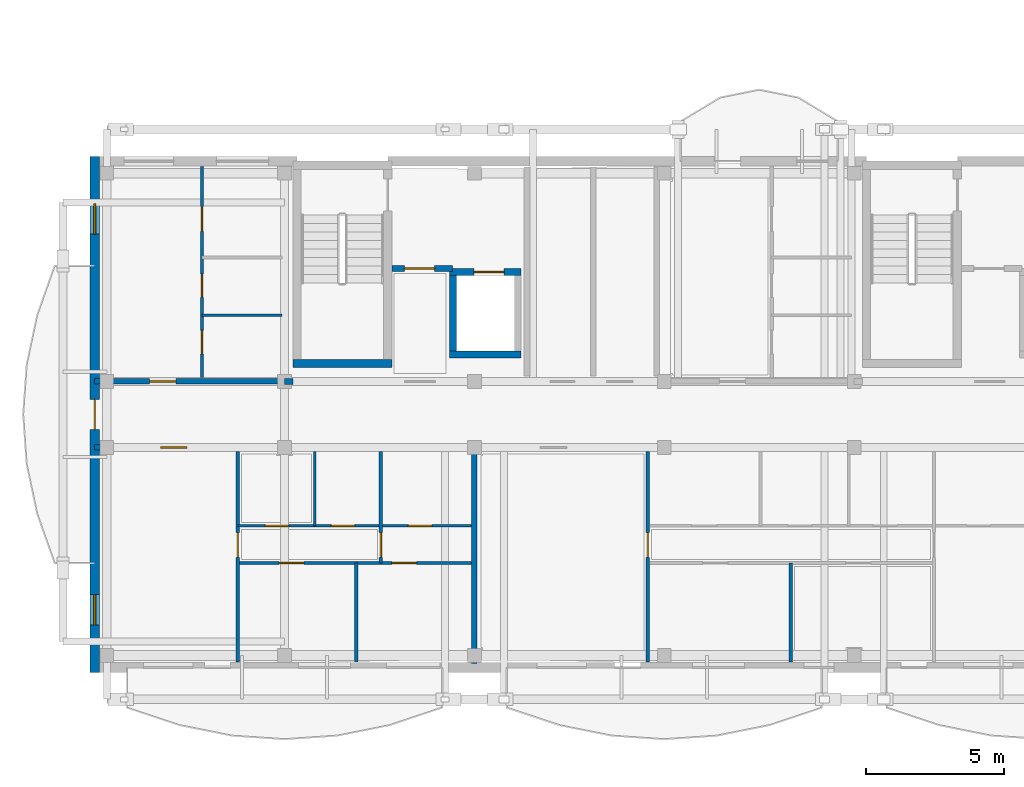
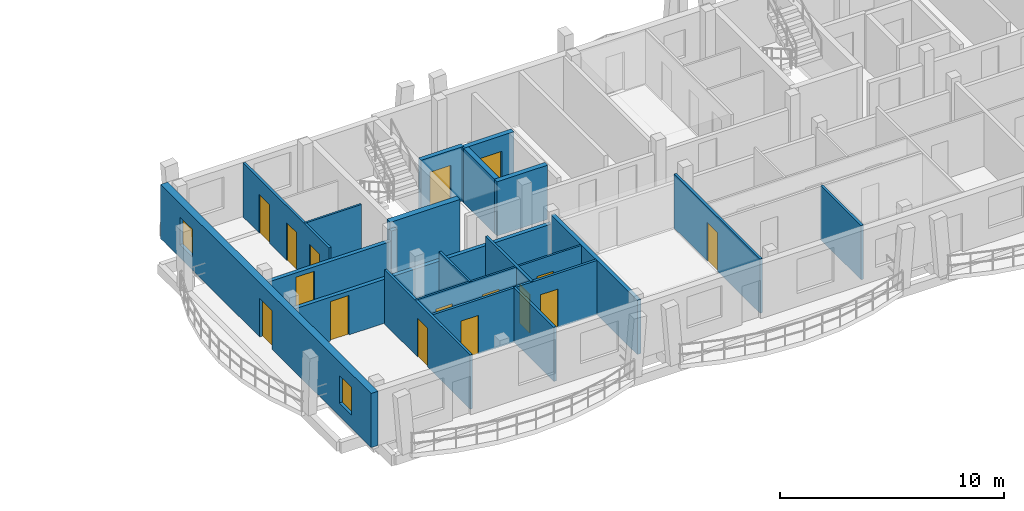
# One storey, part 15 of 48: 20 walls, 16 doors, 2 windows, 18 openings.
"""IFC4 building model written with IfcOpenShell, lengths in metres."""

from ifc_helpers import new_model, si_unit, direction, frame, frame_2d, origin, origin_with_axes, place, context, subcontext, project, spatial, rectangle, extrude, material, layer, layer_set, type_object, element, fill, save


model = new_model("IFC4")

# Units and contexts
model_context = context("Model", 3, precision=1e-05, world=origin(), true_north=direction((0.0, 1.0)))
body_context = subcontext(model_context, "Body", "Model", "MODEL_VIEW")
ifc_project = project(units=[si_unit("LENGTHUNIT", "METRE"), si_unit("AREAUNIT", "SQUARE_METRE"), si_unit("VOLUMEUNIT", "CUBIC_METRE"), si_unit("PLANEANGLEUNIT", "RADIAN"), si_unit("MASSUNIT", "GRAM", prefix="KILO")], contexts=[model_context])

# Site, building, storey
site_placement = place(None, origin())
site = spatial("IfcSite", under=ifc_project, at=site_placement, CompositionType="ELEMENT")
building_placement = place(site_placement, origin())
building = spatial("IfcBuilding", under=site, at=building_placement, Name="Zavelmont Quarter", CompositionType="ELEMENT")
storey_placement = place(building_placement, frame((0.0, 0.0, 17.60009765625)))
storey = spatial("IfcBuildingStorey", under=building, at=storey_placement, Name="L05", CompositionType="ELEMENT", Elevation=17.60009765625)

# Wall, openings, door, windows
ifc_material_1 = material(Name="Natural Belgian limestone", Category="masonry")
ifc_layer_1 = layer(ifc_material_1, 0.360107421875)
ifc_layer_set_1 = layer_set([ifc_layer_1], Name="Natural Belgian limestone")
wall_type_1 = type_object("IfcWallType", Name="EW02", PredefinedType="STANDARD", material=ifc_layer_set_1)
wall_1_placement = place(storey_placement, frame((0.0, -0.179931640625, 0.0), z_axis=(0.0, 0.0, 1.0), x_axis=(0.0, 1.0, 0.0)))
wall_1 = element("IfcWall", 1, at=wall_1_placement, inside=storey, type_object=wall_type_1, Name="L05 exterior limestone wall EW02", PredefinedType="STANDARD", context=body_context, shape_type="SweptSolid", body=[
    extrude(rectangle(XDim=18.760009765625, YDim=0.360107421875, at=frame_2d((9.3798828125, 0.0))), origin(), (0.0, 0.0, 1.0), 2.949951171875),
])
opening_1_placement = place(wall_1_placement, frame((8.830078125, 0.0, 0.0)))
opening_1 = element("IfcOpeningElement", 2, at=opening_1_placement, cuts=wall_1, Name="Opening DR04B", PredefinedType="OPENING", context=body_context, shape_type="SweptSolid", body=[
    extrude(rectangle(XDim=1.10009765625, YDim=2.10009765625, at=frame_2d((0.550048828125, 1.050048828125))), frame((0.0, 0.19189453125, 0.0), z_axis=(0.0, -1.0, 0.0), x_axis=(1.0, 0.0, 0.0)), (0.0, 0.0, 1.0), 0.384033203125),
])
opening_2_placement = place(wall_1_placement, frame((1.72998046875, 0.0, 0.719970703125)))
opening_2 = element("IfcOpeningElement", 3, at=opening_2_placement, cuts=wall_1, Name="Opening WN09", PredefinedType="OPENING", context=body_context, shape_type="SweptSolid", body=[
    extrude(rectangle(XDim=1.10009765625, YDim=1.5, at=frame_2d((0.550048828125, 0.75))), frame((0.0, 0.19189453125, 0.0), z_axis=(0.0, -1.0, 0.0), x_axis=(1.0, 0.0, 0.0)), (0.0, 0.0, 1.0), 0.384033203125),
])
opening_3_placement = place(wall_1_placement, frame((15.929931640625, 0.0, 0.719970703125)))
opening_3 = element("IfcOpeningElement", 4, at=opening_3_placement, cuts=wall_1, Name="Opening WN09", PredefinedType="OPENING", context=body_context, shape_type="SweptSolid", body=[
    extrude(rectangle(XDim=1.10009765625, YDim=1.5, at=frame_2d((0.550048828125, 0.75))), frame((0.0, 0.19189453125, 0.0), z_axis=(0.0, -1.0, 0.0), x_axis=(1.0, 0.0, 0.0)), (0.0, 0.0, 1.0), 0.384033203125),
])
ifc_material_2 = material(Name="Thermally broken aluminium and double safety glass", Category="aluminium")
door_type_1 = type_object("IfcDoorType", Name="DR04B", OperationType="NOTDEFINED", PredefinedType="DOOR", material=ifc_material_2)
door_1_placement = place(opening_1_placement, frame((1.10009765625, 0.0, 0.0), z_axis=(0.0, 0.0, 1.0), x_axis=(-1.0, 0.0, 0.0)))
door_1 = element("IfcDoor", 5, at=door_1_placement, inside=storey, type_object=door_type_1, Name="Block A L05 terrace or vase balcony door", OperationType="SINGLE_SWING_LEFT", OverallHeight=2.10009765625, OverallWidth=1.10009765625, PredefinedType="DOOR", context=body_context, shape_type="SweptSolid", body=[
    extrude(rectangle(XDim=1.10009765625, YDim=2.10009765625, at=frame_2d((0.550048828125, 1.050048828125))), frame((0.0, 0.02490234375, 0.0), z_axis=(0.0, -1.0, 0.0), x_axis=(1.0, 0.0, 0.0)), (0.0, 0.0, 1.0), 0.050048828125),
])
fill(opening_1, door_1)
ifc_material_3 = material(Name="Double low-E insulated glazing in thermally broken aluminium frame", Category="aluminium")
window_type = type_object("IfcWindowType", Name="WN09", PartitioningType="SINGLE_PANEL", PredefinedType="WINDOW", material=ifc_material_3)
window_1_placement = place(opening_2_placement, origin_with_axes())
window_1 = element("IfcWindow", 6, at=window_1_placement, inside=storey, type_object=window_type, Name="L05 window WN09", OverallHeight=1.5, OverallWidth=1.10009765625, PartitioningType="SINGLE_PANEL", PredefinedType="WINDOW", context=body_context, shape_type="SweptSolid", body=[
    extrude(rectangle(XDim=1.10009765625, YDim=1.5, at=frame_2d((0.550048828125, 0.75))), frame((0.0, 0.030029296875, 0.0), z_axis=(0.0, -1.0, 0.0), x_axis=(1.0, 0.0, 0.0)), (0.0, 0.0, 1.0), 0.06005859375),
])
fill(opening_2, window_1)
window_2_placement = place(opening_3_placement, origin_with_axes())
window_2 = element("IfcWindow", 7, at=window_2_placement, inside=storey, type_object=window_type, Name="L05 window WN09", OverallHeight=1.5, OverallWidth=1.10009765625, PartitioningType="SINGLE_PANEL", PredefinedType="WINDOW", context=body_context, shape_type="SweptSolid", body=[
    extrude(rectangle(XDim=1.10009765625, YDim=1.5, at=frame_2d((0.550048828125, 0.75))), frame((0.0, 0.030029296875, 0.0), z_axis=(0.0, -1.0, 0.0), x_axis=(1.0, 0.0, 0.0)), (0.0, 0.0, 1.0), 0.06005859375),
])
fill(opening_3, window_2)

# Wall
ifc_material_4 = material(Name="Calcium-silicate blockwork and acoustic plaster", Category="masonry")
ifc_layer_2 = layer(ifc_material_4, 0.199951171875)
ifc_layer_set_2 = layer_set([ifc_layer_2], Name="Calcium-silicate blockwork and acoustic plaster")
wall_type_2 = type_object("IfcWallType", Name="IW01", PredefinedType="PARTITIONING", material=ifc_layer_set_2)
wall_2_placement = place(storey_placement, frame((13.800048828125, 7.85009765625, 0.0), z_axis=(0.0, 0.0, 1.0), x_axis=(0.0, -1.0, 0.0)))
element("IfcWall", 8, at=wall_2_placement, inside=storey, type_object=wall_type_2, Name="L05 Inter-dwelling compartment wall IW01", PredefinedType="PARTITIONING", context=body_context, shape_type="SweptSolid", body=[
    extrude(rectangle(XDim=7.7001953125, YDim=0.199951171875, at=frame_2d((3.85009765625, 0.0))), origin(), (0.0, 0.0, 1.0), 2.949951171875),
])

# Wall, opening, door
wall_3_placement = place(storey_placement, frame((0.0, 8.0, 0.0), z_axis=(0.0, 0.0, 1.0), x_axis=(1.0, 0.0, 0.0)))
wall_3 = element("IfcWall", 9, at=wall_3_placement, inside=storey, type_object=wall_type_2, Name="L05 Corridor compartment wall IW01", PredefinedType="PARTITIONING", context=body_context, shape_type="SweptSolid", body=[
    extrude(rectangle(XDim=13.800048828125, YDim=0.199951171875, at=frame_2d((6.89990234375, 0.0))), origin(), (0.0, 0.0, 1.0), 2.389892578125),
])
opening_4_placement = place(wall_3_placement, frame((2.39990234375, 0.0, 0.0)))
opening_4 = element("IfcOpeningElement", 10, at=opening_4_placement, cuts=wall_3, Name="Opening DR02", PredefinedType="OPENING", context=body_context, shape_type="SweptSolid", body=[
    extrude(rectangle(XDim=0.949951171875, YDim=2.14990234375, at=frame_2d((0.47509765625, 1.074951171875))), frame((0.0, 0.11181640625, 0.0), z_axis=(0.0, -1.0, 0.0), x_axis=(1.0, 0.0, 0.0)), (0.0, 0.0, 1.0), 0.223876953125),
])
ifc_material_5 = material(Name="Solid-core oak fire leaf in steel frame", Category="steel")
door_type_2 = type_object("IfcDoorType", Name="DR02", OperationType="NOTDEFINED", PredefinedType="DOOR", material=ifc_material_5)
door_2_placement = place(opening_4_placement, frame((0.949951171875, 0.0, 0.0), z_axis=(0.0, 0.0, 1.0), x_axis=(-1.0, 0.0, 0.0)))
door_2 = element("IfcDoor", 11, at=door_2_placement, inside=storey, type_object=door_type_2, Name="L05 door DR02", OperationType="SINGLE_SWING_LEFT", OverallHeight=2.14990234375, OverallWidth=0.949951171875, PredefinedType="DOOR", context=body_context, shape_type="SweptSolid", body=[
    extrude(rectangle(XDim=0.949951171875, YDim=2.14990234375, at=frame_2d((0.47509765625, 1.074951171875))), frame((0.0, 0.02490234375, 0.0), z_axis=(0.0, -1.0, 0.0), x_axis=(1.0, 0.0, 0.0)), (0.0, 0.0, 1.0), 0.050048828125),
])
fill(opening_4, door_2)

wall_4_placement = place(storey_placement, frame((0.0, 10.39990234375, 0.0), z_axis=(0.0, 0.0, 1.0), x_axis=(1.0, 0.0, 0.0)))
wall_4 = element("IfcWall", 12, at=wall_4_placement, inside=storey, type_object=wall_type_2, Name="L05 Corridor compartment wall IW01", PredefinedType="PARTITIONING", context=body_context, shape_type="SweptSolid", body=[
    extrude(rectangle(XDim=6.89990234375, YDim=0.199951171875, at=frame_2d((3.449951171875, 0.0))), origin(), (0.0, 0.0, 1.0), 2.389892578125),
])
opening_5_placement = place(wall_4_placement, frame((2.0, 0.0, 0.0)))
opening_5 = element("IfcOpeningElement", 13, at=opening_5_placement, cuts=wall_4, Name="Opening DR02", PredefinedType="OPENING", context=body_context, shape_type="SweptSolid", body=[
    extrude(rectangle(XDim=0.949951171875, YDim=2.14990234375, at=frame_2d((0.47509765625, 1.074951171875))), frame((0.0, 0.11181640625, 0.0), z_axis=(0.0, -1.0, 0.0), x_axis=(1.0, 0.0, 0.0)), (0.0, 0.0, 1.0), 0.223876953125),
])
door_3_placement = place(opening_5_placement, origin_with_axes())
door_3 = element("IfcDoor", 14, at=door_3_placement, inside=storey, type_object=door_type_2, Name="L05 door DR02", OperationType="SINGLE_SWING_LEFT", OverallHeight=2.14990234375, OverallWidth=0.949951171875, PredefinedType="DOOR", context=body_context, shape_type="SweptSolid", body=[
    extrude(rectangle(XDim=0.949951171875, YDim=2.14990234375, at=frame_2d((0.47509765625, 1.074951171875))), frame((0.0, 0.02490234375, 0.0), z_axis=(0.0, -1.0, 0.0), x_axis=(1.0, 0.0, 0.0)), (0.0, 0.0, 1.0), 0.050048828125),
])
fill(opening_5, door_3)

ifc_material_6 = material(Name="Reinforced masonry fire compartment wall", Category="masonry")
ifc_layer_3 = layer(ifc_material_6, 0.22509765625)
ifc_layer_set_3 = layer_set([ifc_layer_3], Name="Reinforced masonry fire compartment wall")
wall_type_3 = type_object("IfcWallType", Name="IW02", PredefinedType="PARTITIONING", material=ifc_layer_set_3)
wall_5_placement = place(storey_placement, frame((10.800048828125, 14.5, 0.0), z_axis=(0.0, 0.0, 1.0), x_axis=(1.0, 0.0, 0.0)))
wall_5 = element("IfcWall", 15, at=wall_5_placement, inside=storey, type_object=wall_type_3, Name="L05 Firefighting lobby threshold wall IW02", PredefinedType="PARTITIONING", context=body_context, shape_type="SweptSolid", body=[
    extrude(rectangle(XDim=2.199951171875, YDim=0.22509765625, at=frame_2d((1.10009765625, 0.0))), origin(), (0.0, 0.0, 1.0), 2.949951171875),
])
opening_6_placement = place(wall_5_placement, frame((0.449951171875, 0.0, 0.0)))
opening_6 = element("IfcOpeningElement", 16, at=opening_6_placement, cuts=wall_5, Name="Opening DR10", PredefinedType="OPENING", context=body_context, shape_type="SweptSolid", body=[
    extrude(rectangle(XDim=1.10009765625, YDim=2.14990234375, at=frame_2d((0.550048828125, 1.074951171875))), frame((0.0, 0.12451171875, 0.0), z_axis=(0.0, -1.0, 0.0), x_axis=(1.0, 0.0, 0.0)), (0.0, 0.0, 1.0), 0.2490234375),
])
ifc_material_7 = material(Name="Painted steel lobby fire door", Category="steel")
door_type_3 = type_object("IfcDoorType", Name="DR10", OperationType="NOTDEFINED", PredefinedType="DOOR", material=ifc_material_7)
door_4_placement = place(opening_6_placement, origin_with_axes())
door_4 = element("IfcDoor", 17, at=door_4_placement, inside=storey, type_object=door_type_3, Name="Firefighting lobby fire door", OperationType="SINGLE_SWING_LEFT", OverallHeight=2.14990234375, OverallWidth=1.10009765625, PredefinedType="DOOR", context=body_context, shape_type="SweptSolid", body=[
    extrude(rectangle(XDim=1.10009765625, YDim=2.14990234375, at=frame_2d((0.550048828125, 1.074951171875))), frame((0.0, 0.02490234375, 0.0), z_axis=(0.0, -1.0, 0.0), x_axis=(1.0, 0.0, 0.0)), (0.0, 0.0, 1.0), 0.050048828125),
])
fill(opening_6, door_4)

# Wall
wall_6_placement = place(storey_placement, frame((6.89990234375, 10.39990234375, 0.0), z_axis=(0.0, 0.0, 1.0), x_axis=(1.0, 0.0, 0.0)))
element("IfcWall", 18, at=wall_6_placement, inside=storey, type_object=wall_type_3, Name="L05 Core corridor wall IW02", PredefinedType="PARTITIONING", context=body_context, shape_type="SweptSolid", body=[
    extrude(rectangle(XDim=0.300048828125, YDim=0.22509765625, at=frame_2d((0.14990234375, 0.0))), origin(), (0.0, 0.0, 1.0), 2.949951171875),
])

# Wall, opening, door
ifc_material_8 = material(Name="Double gypsum board on acoustic steel stud", Category="steel")
ifc_layer_4 = layer(ifc_material_8, 0.125)
ifc_layer_set_4 = layer_set([ifc_layer_4], Name="Double gypsum board on acoustic steel stud")
wall_type_4 = type_object("IfcWallType", Name="IW03", PredefinedType="PARTITIONING", material=ifc_layer_set_4)
wall_7_placement = place(storey_placement, frame((5.199951171875, 7.85009765625, 0.0), z_axis=(0.0, 0.0, 1.0), x_axis=(0.0, -1.0, 0.0)))
wall_7 = element("IfcWall", 19, at=wall_7_placement, inside=storey, type_object=wall_type_4, Name="L05 Partition IW03", PredefinedType="PARTITIONING", context=body_context, shape_type="SweptSolid", body=[
    extrude(rectangle(XDim=7.650146484375, YDim=0.125, at=frame_2d((3.8251953125, 0.0))), origin(), (0.0, 0.0, 1.0), 2.949951171875),
])
opening_7_placement = place(wall_7_placement, frame((2.949951171875, 0.0, 0.0)))
opening_7 = element("IfcOpeningElement", 20, at=opening_7_placement, cuts=wall_7, Name="Opening DR05", PredefinedType="OPENING", context=body_context, shape_type="SweptSolid", body=[
    extrude(rectangle(XDim=0.89990234375, YDim=2.10009765625, at=frame_2d((0.449951171875, 1.050048828125))), frame((0.0, 0.074462890625, 0.0), z_axis=(0.0, -1.0, 0.0), x_axis=(1.0, 0.0, 0.0)), (0.0, 0.0, 1.0), 0.14892578125),
])
ifc_material_9 = material(Name="Engineered oak flush interior door")
door_type_4 = type_object("IfcDoorType", Name="DR05", OperationType="NOTDEFINED", PredefinedType="DOOR", material=ifc_material_9)
door_5_placement = place(opening_7_placement, origin_with_axes())
door_5 = element("IfcDoor", 21, at=door_5_placement, inside=storey, type_object=door_type_4, Name="L05 door DR05", OperationType="SINGLE_SWING_LEFT", OverallHeight=2.10009765625, OverallWidth=0.89990234375, PredefinedType="DOOR", context=body_context, shape_type="SweptSolid", body=[
    extrude(rectangle(XDim=0.89990234375, YDim=2.10009765625, at=frame_2d((0.449951171875, 1.050048828125))), frame((0.0, 0.02490234375, 0.0), z_axis=(0.0, -1.0, 0.0), x_axis=(1.0, 0.0, 0.0)), (0.0, 0.0, 1.0), 0.050048828125),
])
fill(opening_7, door_5)

wall_8_placement = place(storey_placement, frame((10.39990234375, 7.85009765625, 0.0), z_axis=(0.0, 0.0, 1.0), x_axis=(0.0, -1.0, 0.0)))
wall_8 = element("IfcWall", 22, at=wall_8_placement, inside=storey, type_object=wall_type_4, Name="L05 Partition IW03", PredefinedType="PARTITIONING", context=body_context, shape_type="SweptSolid", body=[
    extrude(rectangle(XDim=4.050048828125, YDim=0.125, at=frame_2d((2.02490234375, 0.0))), origin(), (0.0, 0.0, 1.0), 2.949951171875),
])
opening_8_placement = place(wall_8_placement, frame((2.949951171875, 0.0, 0.0)))
opening_8 = element("IfcOpeningElement", 23, at=opening_8_placement, cuts=wall_8, Name="Opening DR05", PredefinedType="OPENING", context=body_context, shape_type="SweptSolid", body=[
    extrude(rectangle(XDim=0.89990234375, YDim=2.10009765625, at=frame_2d((0.449951171875, 1.050048828125))), frame((0.0, 0.074462890625, 0.0), z_axis=(0.0, -1.0, 0.0), x_axis=(1.0, 0.0, 0.0)), (0.0, 0.0, 1.0), 0.14892578125),
])
door_6_placement = place(opening_8_placement, frame((0.89990234375, 0.0, 0.0), z_axis=(0.0, 0.0, 1.0), x_axis=(-1.0, 0.0, 0.0)))
door_6 = element("IfcDoor", 24, at=door_6_placement, inside=storey, type_object=door_type_4, Name="L05 door DR05", OperationType="SINGLE_SWING_RIGHT", OverallHeight=2.10009765625, OverallWidth=0.89990234375, PredefinedType="DOOR", context=body_context, shape_type="SweptSolid", body=[
    extrude(rectangle(XDim=0.89990234375, YDim=2.10009765625, at=frame_2d((0.449951171875, 1.050048828125))), frame((0.0, 0.02490234375, 0.0), z_axis=(0.0, -1.0, 0.0), x_axis=(1.0, 0.0, 0.0)), (0.0, 0.0, 1.0), 0.050048828125),
])
fill(opening_8, door_6)

# Wall
wall_9_placement = place(storey_placement, frame((9.5, 3.800048828125, 0.0), z_axis=(0.0, 0.0, 1.0), x_axis=(0.0, -1.0, 0.0)))
element("IfcWall", 25, at=wall_9_placement, inside=storey, type_object=wall_type_4, Name="L05 Partition IW03", PredefinedType="PARTITIONING", context=body_context, shape_type="SweptSolid", body=[
    extrude(rectangle(XDim=3.60009765625, YDim=0.125, at=frame_2d((1.800048828125, 0.0))), origin(), (0.0, 0.0, 1.0), 2.949951171875),
])

# Wall, openings, doors
wall_10_placement = place(storey_placement, frame((5.199951171875, 3.800048828125, 0.0), z_axis=(0.0, 0.0, 1.0), x_axis=(1.0, 0.0, 0.0)))
wall_10 = element("IfcWall", 26, at=wall_10_placement, inside=storey, type_object=wall_type_4, Name="L05 Partition IW03", PredefinedType="PARTITIONING", context=body_context, shape_type="SweptSolid", body=[
    extrude(rectangle(XDim=8.5, YDim=0.125, at=frame_2d((4.25, 0.0))), origin(), (0.0, 0.0, 1.0), 2.949951171875),
])
opening_9_placement = place(wall_10_placement, frame((1.5, 0.0, 0.0)))
opening_9 = element("IfcOpeningElement", 27, at=opening_9_placement, cuts=wall_10, Name="Opening DR05", PredefinedType="OPENING", context=body_context, shape_type="SweptSolid", body=[
    extrude(rectangle(XDim=0.89990234375, YDim=2.10009765625, at=frame_2d((0.449951171875, 1.050048828125))), frame((0.0, 0.074462890625, 0.0), z_axis=(0.0, -1.0, 0.0), x_axis=(1.0, 0.0, 0.0)), (0.0, 0.0, 1.0), 0.14892578125),
])
opening_10_placement = place(wall_10_placement, frame((5.60009765625, 0.0, 0.0)))
opening_10 = element("IfcOpeningElement", 28, at=opening_10_placement, cuts=wall_10, Name="Opening DR05", PredefinedType="OPENING", context=body_context, shape_type="SweptSolid", body=[
    extrude(rectangle(XDim=0.89990234375, YDim=2.10009765625, at=frame_2d((0.449951171875, 1.050048828125))), frame((0.0, 0.074462890625, 0.0), z_axis=(0.0, -1.0, 0.0), x_axis=(1.0, 0.0, 0.0)), (0.0, 0.0, 1.0), 0.14892578125),
])
door_7_placement = place(opening_9_placement, frame((0.89990234375, 0.0, 0.0), z_axis=(0.0, 0.0, 1.0), x_axis=(-1.0, 0.0, 0.0)))
door_7 = element("IfcDoor", 29, at=door_7_placement, inside=storey, type_object=door_type_4, Name="L05 door DR05", OperationType="SINGLE_SWING_RIGHT", OverallHeight=2.10009765625, OverallWidth=0.89990234375, PredefinedType="DOOR", context=body_context, shape_type="SweptSolid", body=[
    extrude(rectangle(XDim=0.89990234375, YDim=2.10009765625, at=frame_2d((0.449951171875, 1.050048828125))), frame((0.0, 0.02490234375, 0.0), z_axis=(0.0, -1.0, 0.0), x_axis=(1.0, 0.0, 0.0)), (0.0, 0.0, 1.0), 0.050048828125),
])
fill(opening_9, door_7)
door_8_placement = place(opening_10_placement, origin_with_axes())
door_8 = element("IfcDoor", 30, at=door_8_placement, inside=storey, type_object=door_type_4, Name="L05 door DR05", OperationType="SINGLE_SWING_LEFT", OverallHeight=2.10009765625, OverallWidth=0.89990234375, PredefinedType="DOOR", context=body_context, shape_type="SweptSolid", body=[
    extrude(rectangle(XDim=0.89990234375, YDim=2.10009765625, at=frame_2d((0.449951171875, 1.050048828125))), frame((0.0, 0.02490234375, 0.0), z_axis=(0.0, -1.0, 0.0), x_axis=(1.0, 0.0, 0.0)), (0.0, 0.0, 1.0), 0.050048828125),
])
fill(opening_10, door_8)

# Wall, opening, door
wall_11_placement = place(storey_placement, frame((20.10009765625, 7.85009765625, 0.0), z_axis=(0.0, 0.0, 1.0), x_axis=(0.0, -1.0, 0.0)))
wall_11 = element("IfcWall", 31, at=wall_11_placement, inside=storey, type_object=wall_type_4, Name="L05 Partition IW03", PredefinedType="PARTITIONING", context=body_context, shape_type="SweptSolid", body=[
    extrude(rectangle(XDim=7.650146484375, YDim=0.125, at=frame_2d((3.8251953125, 0.0))), origin(), (0.0, 0.0, 1.0), 2.949951171875),
])
opening_11_placement = place(wall_11_placement, frame((2.949951171875, 0.0, 0.0)))
opening_11 = element("IfcOpeningElement", 32, at=opening_11_placement, cuts=wall_11, Name="Opening DR05", PredefinedType="OPENING", context=body_context, shape_type="SweptSolid", body=[
    extrude(rectangle(XDim=0.89990234375, YDim=2.10009765625, at=frame_2d((0.449951171875, 1.050048828125))), frame((0.0, 0.074462890625, 0.0), z_axis=(0.0, -1.0, 0.0), x_axis=(1.0, 0.0, 0.0)), (0.0, 0.0, 1.0), 0.14892578125),
])
door_9_placement = place(opening_11_placement, origin_with_axes())
door_9 = element("IfcDoor", 33, at=door_9_placement, inside=storey, type_object=door_type_4, Name="L05 door DR05", OperationType="SINGLE_SWING_RIGHT", OverallHeight=2.10009765625, OverallWidth=0.89990234375, PredefinedType="DOOR", context=body_context, shape_type="SweptSolid", body=[
    extrude(rectangle(XDim=0.89990234375, YDim=2.10009765625, at=frame_2d((0.449951171875, 1.050048828125))), frame((0.0, 0.02490234375, 0.0), z_axis=(0.0, -1.0, 0.0), x_axis=(1.0, 0.0, 0.0)), (0.0, 0.0, 1.0), 0.050048828125),
])
fill(opening_11, door_9)

# Wall
wall_12_placement = place(storey_placement, frame((25.300048828125, 3.800048828125, 0.0), z_axis=(0.0, 0.0, 1.0), x_axis=(0.0, -1.0, 0.0)))
element("IfcWall", 34, at=wall_12_placement, inside=storey, type_object=wall_type_4, Name="L05 Partition IW03", PredefinedType="PARTITIONING", context=body_context, shape_type="SweptSolid", body=[
    extrude(rectangle(XDim=3.60009765625, YDim=0.125, at=frame_2d((1.800048828125, 0.0))), origin(), (0.0, 0.0, 1.0), 2.949951171875),
])

# Wall, openings, doors
wall_13_placement = place(storey_placement, frame((3.89990234375, 10.550048828125, 0.0), z_axis=(0.0, 0.0, 1.0), x_axis=(0.0, 1.0, 0.0)))
wall_13 = element("IfcWall", 35, at=wall_13_placement, inside=storey, type_object=wall_type_4, Name="L05 Partition IW03", PredefinedType="PARTITIONING", context=body_context, shape_type="SweptSolid", body=[
    extrude(rectangle(XDim=7.64990234375, YDim=0.125, at=frame_2d((3.824951171875, 0.0))), origin(), (0.0, 0.0, 1.0), 2.949951171875),
])
opening_12_placement = place(wall_13_placement, frame((0.85009765625, 0.0, 0.0)))
opening_12 = element("IfcOpeningElement", 36, at=opening_12_placement, cuts=wall_13, Name="Opening DR16", PredefinedType="OPENING", context=body_context, shape_type="SweptSolid", body=[
    extrude(rectangle(XDim=0.85009765625, YDim=2.10009765625, at=frame_2d((0.425048828125, 1.050048828125))), frame((0.0, 0.074462890625, 0.0), z_axis=(0.0, -1.0, 0.0), x_axis=(1.0, 0.0, 0.0)), (0.0, 0.0, 1.0), 0.14892578125),
])
opening_13_placement = place(wall_13_placement, frame((2.89990234375, 0.0, 0.0)))
opening_13 = element("IfcOpeningElement", 37, at=opening_13_placement, cuts=wall_13, Name="Opening DR06", PredefinedType="OPENING", context=body_context, shape_type="SweptSolid", body=[
    extrude(rectangle(XDim=0.85009765625, YDim=2.050048828125, at=frame_2d((0.425048828125, 1.02490234375))), frame((0.0, 0.074462890625, 0.0), z_axis=(0.0, -1.0, 0.0), x_axis=(1.0, 0.0, 0.0)), (0.0, 0.0, 1.0), 0.14892578125),
])
opening_14_placement = place(wall_13_placement, frame((5.300048828125, 0.0, 0.0)))
opening_14 = element("IfcOpeningElement", 38, at=opening_14_placement, cuts=wall_13, Name="Opening DR05", PredefinedType="OPENING", context=body_context, shape_type="SweptSolid", body=[
    extrude(rectangle(XDim=0.89990234375, YDim=2.10009765625, at=frame_2d((0.449951171875, 1.050048828125))), frame((0.0, 0.074462890625, 0.0), z_axis=(0.0, -1.0, 0.0), x_axis=(1.0, 0.0, 0.0)), (0.0, 0.0, 1.0), 0.14892578125),
])
door_10_placement = place(opening_14_placement, origin_with_axes())
door_10 = element("IfcDoor", 39, at=door_10_placement, inside=storey, type_object=door_type_4, Name="L05 door DR05", OperationType="SINGLE_SWING_LEFT", OverallHeight=2.10009765625, OverallWidth=0.89990234375, PredefinedType="DOOR", context=body_context, shape_type="SweptSolid", body=[
    extrude(rectangle(XDim=0.89990234375, YDim=2.10009765625, at=frame_2d((0.449951171875, 1.050048828125))), frame((0.0, 0.02490234375, 0.0), z_axis=(0.0, -1.0, 0.0), x_axis=(1.0, 0.0, 0.0)), (0.0, 0.0, 1.0), 0.050048828125),
])
fill(opening_14, door_10)
ifc_material_10 = material(Name="Moisture-resistant painted wet-room door")
door_type_5 = type_object("IfcDoorType", Name="DR06", OperationType="NOTDEFINED", PredefinedType="DOOR", material=ifc_material_10)
door_11_placement = place(opening_13_placement, frame((0.85009765625, 0.0, 0.0), z_axis=(0.0, 0.0, 1.0), x_axis=(-1.0, 0.0, 0.0)))
door_11 = element("IfcDoor", 40, at=door_11_placement, inside=storey, type_object=door_type_5, Name="L05 door DR06", OperationType="SINGLE_SWING_RIGHT", OverallHeight=2.050048828125, OverallWidth=0.85009765625, PredefinedType="DOOR", context=body_context, shape_type="SweptSolid", body=[
    extrude(rectangle(XDim=0.85009765625, YDim=2.050048828125, at=frame_2d((0.425048828125, 1.02490234375))), frame((0.0, 0.02490234375, 0.0), z_axis=(0.0, -1.0, 0.0), x_axis=(1.0, 0.0, 0.0)), (0.0, 0.0, 1.0), 0.050048828125),
])
fill(opening_13, door_11)
door_type_6 = type_object("IfcDoorType", Name="DR16", OperationType="NOTDEFINED", PredefinedType="DOOR", material=ifc_material_9)
door_12_placement = place(opening_12_placement, origin_with_axes())
door_12 = element("IfcDoor", 41, at=door_12_placement, inside=storey, type_object=door_type_6, Name="L05 door DR16", OperationType="SINGLE_SWING_LEFT", OverallHeight=2.10009765625, OverallWidth=0.85009765625, PredefinedType="DOOR", context=body_context, shape_type="SweptSolid", body=[
    extrude(rectangle(XDim=0.85009765625, YDim=2.10009765625, at=frame_2d((0.425048828125, 1.050048828125))), frame((0.0, 0.02490234375, 0.0), z_axis=(0.0, -1.0, 0.0), x_axis=(1.0, 0.0, 0.0)), (0.0, 0.0, 1.0), 0.050048828125),
])
fill(opening_12, door_12)

# Wall
ifc_material_11 = material(Name="Moisture-resistant gypsum board on steel stud", Category="steel")
ifc_layer_5 = layer(ifc_material_11, 0.10009765625)
ifc_layer_set_5 = layer_set([ifc_layer_5], Name="Moisture-resistant gypsum board on steel stud")
wall_type_5 = type_object("IfcWallType", Name="IW04", PredefinedType="PARTITIONING", material=ifc_layer_set_5)
wall_14_placement = place(storey_placement, frame((8.0, 7.85009765625, 0.0), z_axis=(0.0, 0.0, 1.0), x_axis=(0.0, -1.0, 0.0)))
element("IfcWall", 42, at=wall_14_placement, inside=storey, type_object=wall_type_5, Name="L05 Partition IW04", PredefinedType="PARTITIONING", context=body_context, shape_type="SweptSolid", body=[
    extrude(rectangle(XDim=2.7001953125, YDim=0.10009765625, at=frame_2d((1.35009765625, 0.0))), origin(), (0.0, 0.0, 1.0), 2.949951171875),
])

# Wall, openings, doors
wall_15_placement = place(storey_placement, frame((5.199951171875, 5.14990234375, 0.0), z_axis=(0.0, 0.0, 1.0), x_axis=(1.0, 0.0, 0.0)))
wall_15 = element("IfcWall", 43, at=wall_15_placement, inside=storey, type_object=wall_type_5, Name="L05 Partition IW04", PredefinedType="PARTITIONING", context=body_context, shape_type="SweptSolid", body=[
    extrude(rectangle(XDim=8.5, YDim=0.10009765625, at=frame_2d((4.25, 0.0))), origin(), (0.0, 0.0, 1.0), 2.949951171875),
])
opening_15_placement = place(wall_15_placement, frame((1.0, 0.0, 0.0)))
opening_15 = element("IfcOpeningElement", 44, at=opening_15_placement, cuts=wall_15, Name="Opening DR16", PredefinedType="OPENING", context=body_context, shape_type="SweptSolid", body=[
    extrude(rectangle(XDim=0.85009765625, YDim=2.10009765625, at=frame_2d((0.425048828125, 1.050048828125))), frame((0.0, 0.06201171875, 0.0), z_axis=(0.0, -1.0, 0.0), x_axis=(1.0, 0.0, 0.0)), (0.0, 0.0, 1.0), 0.1240234375),
])
opening_16_placement = place(wall_15_placement, frame((3.39990234375, 0.0, 0.0)))
opening_16 = element("IfcOpeningElement", 45, at=opening_16_placement, cuts=wall_15, Name="Opening DR06", PredefinedType="OPENING", context=body_context, shape_type="SweptSolid", body=[
    extrude(rectangle(XDim=0.85009765625, YDim=2.050048828125, at=frame_2d((0.425048828125, 1.02490234375))), frame((0.0, 0.06201171875, 0.0), z_axis=(0.0, -1.0, 0.0), x_axis=(1.0, 0.0, 0.0)), (0.0, 0.0, 1.0), 0.1240234375),
])
opening_17_placement = place(wall_15_placement, frame((6.199951171875, 0.0, 0.0)))
opening_17 = element("IfcOpeningElement", 46, at=opening_17_placement, cuts=wall_15, Name="Opening DR06", PredefinedType="OPENING", context=body_context, shape_type="SweptSolid", body=[
    extrude(rectangle(XDim=0.85009765625, YDim=2.050048828125, at=frame_2d((0.425048828125, 1.02490234375))), frame((0.0, 0.06201171875, 0.0), z_axis=(0.0, -1.0, 0.0), x_axis=(1.0, 0.0, 0.0)), (0.0, 0.0, 1.0), 0.1240234375),
])
door_13_placement = place(opening_16_placement, frame((0.85009765625, 0.0, 0.0), z_axis=(0.0, 0.0, 1.0), x_axis=(-1.0, 0.0, 0.0)))
door_13 = element("IfcDoor", 47, at=door_13_placement, inside=storey, type_object=door_type_5, Name="L05 door DR06", OperationType="SINGLE_SWING_RIGHT", OverallHeight=2.050048828125, OverallWidth=0.85009765625, PredefinedType="DOOR", context=body_context, shape_type="SweptSolid", body=[
    extrude(rectangle(XDim=0.85009765625, YDim=2.050048828125, at=frame_2d((0.425048828125, 1.02490234375))), frame((0.0, 0.02490234375, 0.0), z_axis=(0.0, -1.0, 0.0), x_axis=(1.0, 0.0, 0.0)), (0.0, 0.0, 1.0), 0.050048828125),
])
fill(opening_16, door_13)
door_14_placement = place(opening_17_placement, origin_with_axes())
door_14 = element("IfcDoor", 48, at=door_14_placement, inside=storey, type_object=door_type_5, Name="L05 door DR06", OperationType="SINGLE_SWING_LEFT", OverallHeight=2.050048828125, OverallWidth=0.85009765625, PredefinedType="DOOR", context=body_context, shape_type="SweptSolid", body=[
    extrude(rectangle(XDim=0.85009765625, YDim=2.050048828125, at=frame_2d((0.425048828125, 1.02490234375))), frame((0.0, 0.02490234375, 0.0), z_axis=(0.0, -1.0, 0.0), x_axis=(1.0, 0.0, 0.0)), (0.0, 0.0, 1.0), 0.050048828125),
])
fill(opening_17, door_14)
door_15_placement = place(opening_15_placement, origin_with_axes())
door_15 = element("IfcDoor", 49, at=door_15_placement, inside=storey, type_object=door_type_6, Name="L05 door DR16", OperationType="SINGLE_SWING_LEFT", OverallHeight=2.10009765625, OverallWidth=0.85009765625, PredefinedType="DOOR", context=body_context, shape_type="SweptSolid", body=[
    extrude(rectangle(XDim=0.85009765625, YDim=2.10009765625, at=frame_2d((0.425048828125, 1.050048828125))), frame((0.0, 0.02490234375, 0.0), z_axis=(0.0, -1.0, 0.0), x_axis=(1.0, 0.0, 0.0)), (0.0, 0.0, 1.0), 0.050048828125),
])
fill(opening_15, door_15)

# Walls
wall_16_placement = place(storey_placement, frame((3.89990234375, 12.800048828125, 0.0), z_axis=(0.0, 0.0, 1.0), x_axis=(1.0, 0.0, 0.0)))
element("IfcWall", 50, at=wall_16_placement, inside=storey, type_object=wall_type_5, Name="L05 Partition IW04", PredefinedType="PARTITIONING", context=body_context, shape_type="SweptSolid", body=[
    extrude(rectangle(XDim=2.900146484375, YDim=0.10009765625, at=frame_2d((1.4501953125, 0.0))), origin(), (0.0, 0.0, 1.0), 2.949951171875),
])
ifc_material_12 = material(Name="Concrete C40/50", Category="concrete")
ifc_layer_6 = layer(ifc_material_12, 0.300048828125)
ifc_layer_set_6 = layer_set([ifc_layer_6], Name="Concrete C40/50")
wall_type_6 = type_object("IfcWallType", Name="SW01", PredefinedType="SHEAR", material=ifc_layer_set_6)
wall_17_placement = place(storey_placement, frame((7.199951171875, 11.050048828125, 0.0), z_axis=(0.0, 0.0, 1.0), x_axis=(1.0, 0.0, 0.0)))
element("IfcWall", 51, at=wall_17_placement, inside=storey, type_object=wall_type_6, Name="L05 ST01 corridor shear wall SW01", PredefinedType="SHEAR", context=body_context, shape_type="SweptSolid", body=[
    extrude(rectangle(XDim=3.60009765625, YDim=0.300048828125, at=frame_2d((1.800048828125, 0.0))), origin(), (0.0, 0.0, 1.0), 2.949951171875),
])

# Wall, opening, door
ifc_layer_7 = layer(ifc_material_12, 0.25)
ifc_layer_set_7 = layer_set([ifc_layer_7], Name="Concrete C40/50")
wall_type_7 = type_object("IfcWallType", Name="SW02", PredefinedType="SHEAR", material=ifc_layer_set_7)
wall_18_placement = place(storey_placement, frame((12.89990234375, 14.375, 0.0), z_axis=(0.0, 0.0, 1.0), x_axis=(1.0, 0.0, 0.0)))
wall_18 = element("IfcWall", 52, at=wall_18_placement, inside=storey, type_object=wall_type_7, Name="L05 Lift FL01 landing shaft wall SW02", PredefinedType="SHEAR", context=body_context, shape_type="SweptSolid", body=[
    extrude(rectangle(XDim=2.60009765625, YDim=0.25, at=frame_2d((1.300048828125, 0.0))), origin(), (0.0, 0.0, 1.0), 2.949951171875),
])
opening_18_placement = place(wall_18_placement, frame((0.875, 0.0, 0.0)))
opening_18 = element("IfcOpeningElement", 53, at=opening_18_placement, cuts=wall_18, Name="Opening LD02", PredefinedType="OPENING", context=body_context, shape_type="SweptSolid", body=[
    extrude(rectangle(XDim=1.10009765625, YDim=2.10009765625, at=frame_2d((0.550048828125, 1.050048828125))), frame((0.0, 0.136962890625, 0.0), z_axis=(0.0, -1.0, 0.0), x_axis=(1.0, 0.0, 0.0)), (0.0, 0.0, 1.0), 0.27392578125),
])
ifc_material_13 = material(Name="Brushed stainless-steel firefighting lift landing door", Category="steel")
door_type_7 = type_object("IfcDoorType", Name="LD02", OperationType="SLIDING_TO_LEFT", PredefinedType="DOOR", material=ifc_material_13)
door_16_placement = place(opening_18_placement, origin_with_axes())
door_16 = element("IfcDoor", 54, at=door_16_placement, inside=storey, type_object=door_type_7, Name="Lift FL01 sliding landing door", OperationType="SLIDING_TO_LEFT", OverallHeight=2.10009765625, OverallWidth=1.10009765625, PredefinedType="DOOR", context=body_context, shape_type="SweptSolid", body=[
    extrude(rectangle(XDim=1.10009765625, YDim=2.10009765625, at=frame_2d((0.550048828125, 1.050048828125))), frame((0.0, 0.02490234375, 0.0), z_axis=(0.0, -1.0, 0.0), x_axis=(1.0, 0.0, 0.0)), (0.0, 0.0, 1.0), 0.050048828125),
])
fill(opening_18, door_16)

# Walls
wall_19_placement = place(storey_placement, frame((12.89990234375, 11.375, 0.0), z_axis=(0.0, 0.0, 1.0), x_axis=(1.0, 0.0, 0.0)))
element("IfcWall", 55, at=wall_19_placement, inside=storey, type_object=wall_type_7, Name="L05 Lift FL01 back shaft wall SW02", PredefinedType="SHEAR", context=body_context, shape_type="SweptSolid", body=[
    extrude(rectangle(XDim=2.60009765625, YDim=0.25, at=frame_2d((1.300048828125, 0.0))), origin(), (0.0, 0.0, 1.0), 2.949951171875),
])
wall_20_placement = place(storey_placement, frame((13.02490234375, 11.25, 0.0), z_axis=(0.0, 0.0, 1.0), x_axis=(0.0, 1.0, 0.0)))
element("IfcWall", 56, at=wall_20_placement, inside=storey, type_object=wall_type_7, Name="L05 Lift FL01 west shaft wall SW02", PredefinedType="SHEAR", context=body_context, shape_type="SweptSolid", body=[
    extrude(rectangle(XDim=3.25, YDim=0.25, at=frame_2d((1.625, 0.0))), origin(), (0.0, 0.0, 1.0), 2.949951171875),
])

save(model, "model.ifc")
